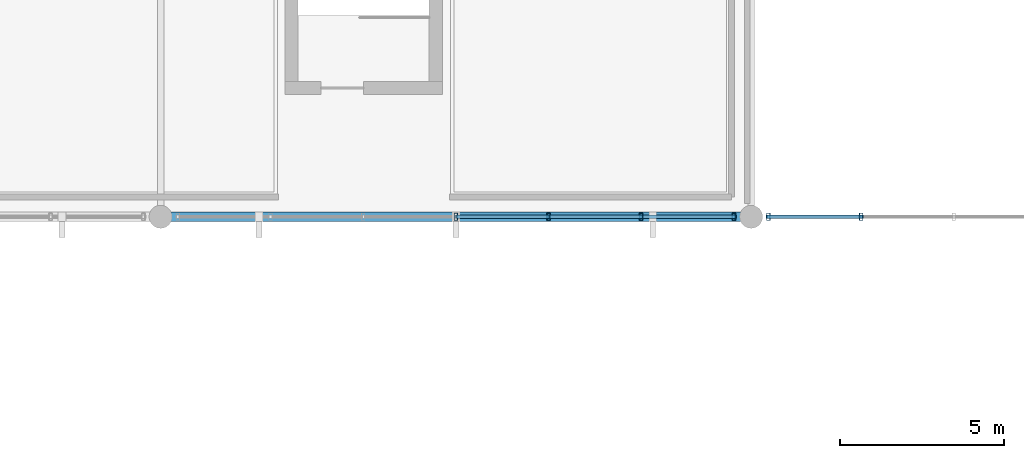
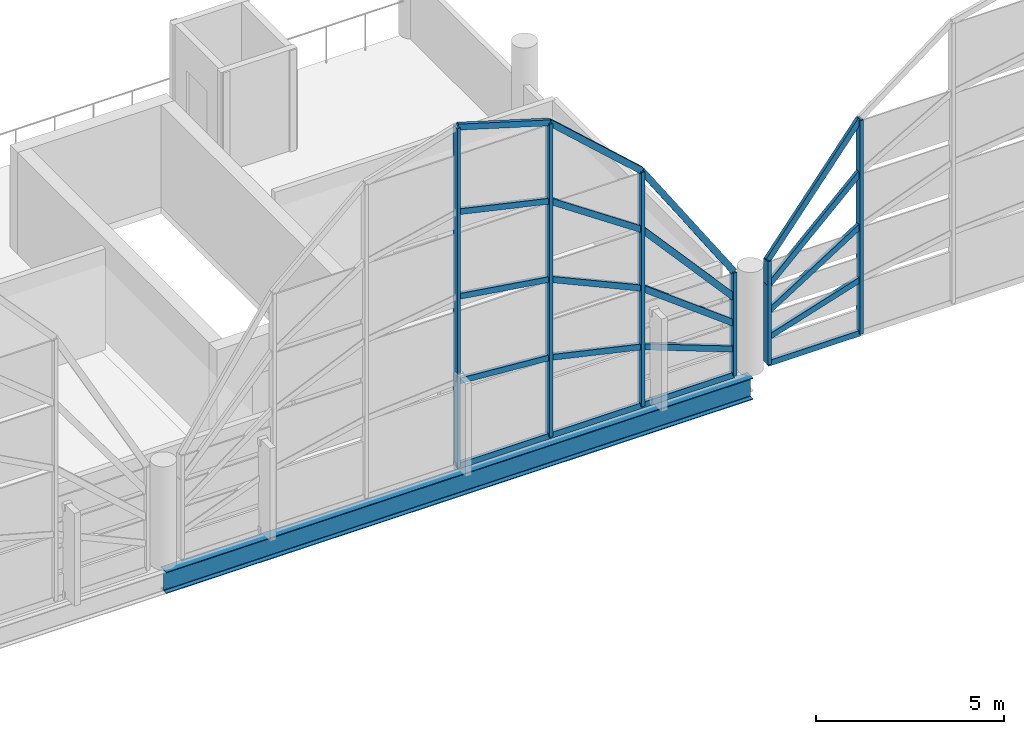
# One storey, part 32 of 116: 26 members, 1 beam, 2 elements without a shape of their own.
"""IFC4 building model written with IfcOpenShell, lengths in metres."""

from ifc_helpers import new_model, si_unit, direction, frame, origin, origin_2d, place, context, subcontext, project, spatial, hollow_rectangle, i_section, extrude, material, material_profile, profile_set, type_object, element, aggregate, save


model = new_model("IFC4")

# Units and contexts
model_context = context("Model", 3, precision=1e-05, world=origin(), true_north=direction((0.0, 1.0)))
body_context = subcontext(model_context, "Body", "Model", "MODEL_VIEW")
ifc_project = project(units=[si_unit("LENGTHUNIT", "METRE"), si_unit("AREAUNIT", "SQUARE_METRE"), si_unit("VOLUMEUNIT", "CUBIC_METRE"), si_unit("PLANEANGLEUNIT", "RADIAN"), si_unit("MASSUNIT", "GRAM", prefix="KILO")], contexts=[model_context])

# Site, building, storey
site_placement = place(None, origin())
site = spatial("IfcSite", under=ifc_project, at=site_placement, CompositionType="ELEMENT")
building_placement = place(site_placement, origin())
building = spatial("IfcBuilding", under=site, at=building_placement, Name="Chuanluo Vaults Station", CompositionType="ELEMENT")
storey_placement = place(building_placement, frame((0.0, 0.0, 10.800048828125)))
storey = spatial("IfcBuildingStorey", under=building, at=storey_placement, Name="L02", CompositionType="ELEMENT", Elevation=10.800048828125)

# Beam
ifc_material_1 = material(Name="Steel Q355C", Category="steel")
ifc_material_profile_1 = material_profile(ifc_material_1, i_section(OverallWidth=0.300048828125, OverallDepth=0.699951171875, WebThickness=0.012939453125, FlangeThickness=0.02392578125, FilletRadius=0.02197265625, at=origin_2d()))
ifc_profile_set_1 = profile_set([ifc_material_profile_1], Name="Steel Q355C")
beam_type = type_object("IfcBeamType", Name="BM-GRD-700", PredefinedType="USERDEFINED", material=ifc_profile_set_1)
beam_placement = place(storey_placement, frame((72.0, 18.0, -0.570068359375), z_axis=(1.0, 0.0, 0.0), x_axis=(0.0, 1.0, 0.0)))
element("IfcBeam", 1, at=beam_placement, inside=storey, type_object=beam_type, Name="Floor girder BM:GX:L02:0548", ObjectType="GIRDER", PredefinedType="USERDEFINED", context=body_context, shape_type="SweptSolid", body=[
    extrude(i_section(OverallWidth=0.300048828125, OverallDepth=0.699951171875, WebThickness=0.012939453125, FlangeThickness=0.02392578125, FilletRadius=0.02197265625, at=origin_2d()), origin(), (0.0, 0.0, 1.0), 18.0),
])

# Curtain wall, members
ifc_material_2 = material(Name="Anodised aluminium 6063-T6", Category="aluminium")
curtain_wall_type_1 = type_object("IfcCurtainWallType", Name="CW-SYS-16", PredefinedType="NOTDEFINED", material=ifc_material_2)
curtain_wall_1_placement = place(storey_placement, origin())
curtain_wall_1 = element("IfcCurtainWall", 2, at=curtain_wall_1_placement, inside=storey, type_object=curtain_wall_type_1, Name="Vault V5 south arched curtain wall", PredefinedType="NOTDEFINED")
ifc_material_3 = material(Name="Anodised aluminium 6063-T6", Category="aluminium")
ifc_material_profile_2 = material_profile(ifc_material_3, hollow_rectangle(XDim=0.10498046875, YDim=0.219970703125, WallThickness=0.006103515625, at=origin_2d()))
ifc_profile_set_2 = profile_set([ifc_material_profile_2], Name="Anodised aluminium 6063-T6")
member_type_1 = type_object("IfcMemberType", Name="CWM-140", PredefinedType="MULLION", material=ifc_profile_set_2)
member_1_placement = place(storey_placement, frame((89.47509765625, 18.0, 0.0), z_axis=(0.0, 0.0, 1.0), x_axis=(-1.0, 0.0, 0.0)))
member_1 = element("IfcMember", 3, at=member_1_placement, type_object=member_type_1, Name="Vault V5 south arched curtain wall mullion 1", PredefinedType="MULLION", context=body_context, shape_type="SweptSolid", body=[
    extrude(hollow_rectangle(XDim=0.10498046875, YDim=0.219970703125, WallThickness=0.006103515625, at=origin_2d()), origin(), (0.0, 0.0, 1.0), 3.349853515625),
])
member_2_placement = place(storey_placement, frame((86.64990234375, 18.0, 0.0), z_axis=(0.0, 0.0, 1.0), x_axis=(-1.0, 0.0, 0.0)))
member_2 = element("IfcMember", 4, at=member_2_placement, type_object=member_type_1, Name="Vault V5 south arched curtain wall mullion 2", PredefinedType="MULLION", context=body_context, shape_type="SweptSolid", body=[
    extrude(hollow_rectangle(XDim=0.10498046875, YDim=0.219970703125, WallThickness=0.006103515625, at=origin_2d()), origin(), (0.0, 0.0, 1.0), 7.599853515625),
])
member_3_placement = place(storey_placement, frame((83.824951171875, 18.0, 0.0), z_axis=(0.0, 0.0, 1.0), x_axis=(-1.0, 0.0, 0.0)))
member_3 = element("IfcMember", 5, at=member_3_placement, type_object=member_type_1, Name="Vault V5 south arched curtain wall mullion 3", PredefinedType="MULLION", context=body_context, shape_type="SweptSolid", body=[
    extrude(hollow_rectangle(XDim=0.10498046875, YDim=0.219970703125, WallThickness=0.006103515625, at=origin_2d()), origin(), (0.0, 0.0, 1.0), 10.14990234375),
])
member_4_placement = place(storey_placement, frame((81.0, 18.0, 0.0), z_axis=(0.0, 0.0, 1.0), x_axis=(-1.0, 0.0, 0.0)))
member_4 = element("IfcMember", 6, at=member_4_placement, type_object=member_type_1, Name="Vault V5 south arched curtain wall mullion 4", PredefinedType="MULLION", context=body_context, shape_type="SweptSolid", body=[
    extrude(hollow_rectangle(XDim=0.10498046875, YDim=0.219970703125, WallThickness=0.006103515625, at=origin_2d()), origin(), (0.0, 0.0, 1.0), 11.0),
])

ifc_material_4 = material(Name="Anodised aluminium 6063-T6", Category="aluminium")
curtain_wall_type_2 = type_object("IfcCurtainWallType", Name="CW-SYS-20", PredefinedType="NOTDEFINED", material=ifc_material_4)
curtain_wall_2_placement = place(storey_placement, origin())
curtain_wall_2 = element("IfcCurtainWall", 7, at=curtain_wall_2_placement, inside=storey, type_object=curtain_wall_type_2, Name="Vault V6 south arched curtain wall", PredefinedType="NOTDEFINED")
member_5_placement = place(storey_placement, frame((93.35009765625, 18.0, 0.0), z_axis=(0.0, 0.0, 1.0), x_axis=(-1.0, 0.0, 0.0)))
member_5 = element("IfcMember", 8, at=member_5_placement, type_object=member_type_1, Name="Vault V6 south arched curtain wall mullion 6", PredefinedType="MULLION", context=body_context, shape_type="SweptSolid", body=[
    extrude(hollow_rectangle(XDim=0.10498046875, YDim=0.219970703125, WallThickness=0.006103515625, at=origin_2d()), origin(), (0.0, 0.0, 1.0), 6.933349609375),
])
member_6_placement = place(storey_placement, frame((90.52490234375, 18.0, 0.0), z_axis=(0.0, 0.0, 1.0), x_axis=(-1.0, 0.0, 0.0)))
member_6 = element("IfcMember", 9, at=member_6_placement, type_object=member_type_1, Name="Vault V6 south arched curtain wall mullion 7", PredefinedType="MULLION", context=body_context, shape_type="SweptSolid", body=[
    extrude(hollow_rectangle(XDim=0.10498046875, YDim=0.219970703125, WallThickness=0.006103515625, at=origin_2d()), origin(), (0.0, 0.0, 1.0), 3.349853515625),
])

# Member
ifc_material_5 = material(Name="Anodised aluminium 6063-T6", Category="aluminium")
ifc_material_profile_3 = material_profile(ifc_material_5, hollow_rectangle(XDim=0.10498046875, YDim=0.18505859375, WallThickness=0.0048828125, at=origin_2d()))
ifc_profile_set_3 = profile_set([ifc_material_profile_3], Name="Anodised aluminium 6063-T6")
member_type_2 = type_object("IfcMemberType", Name="CWT-110", PredefinedType="USERDEFINED", material=ifc_profile_set_3)
member_7_placement = place(storey_placement, frame((89.47509765625, 18.0, 0.0), z_axis=(-1.0, 0.0, 0.0), x_axis=(0.0, -1.0, 0.0)))
member_7 = element("IfcMember", 10, at=member_7_placement, type_object=member_type_2, Name="Vault V5 south arched curtain wall transom 1.1", ObjectType="TRANSOM", PredefinedType="USERDEFINED", context=body_context, shape_type="SweptSolid", body=[
    extrude(hollow_rectangle(XDim=0.10498046875, YDim=0.18505859375, WallThickness=0.0048828125, at=origin_2d()), origin(), (0.0, 0.0, 1.0), 2.8251953125),
])

member_8_placement = place(storey_placement, frame((89.47509765625, 18.0, 0.83740234375), z_axis=(-0.935996355614, 0.0, 0.352009690601), x_axis=(0.0, -1.0, 0.0)))
member_8 = element("IfcMember", 11, at=member_8_placement, type_object=member_type_2, Name="Vault V5 south arched curtain wall transom 1.2", ObjectType="TRANSOM", PredefinedType="USERDEFINED", context=body_context, shape_type="SweptSolid", body=[
    extrude(hollow_rectangle(XDim=0.10498046875, YDim=0.18505859375, WallThickness=0.0048828125, at=origin_2d()), origin(), (0.0, 0.0, 1.0), 3.018310546875),
])

member_9_placement = place(storey_placement, frame((89.47509765625, 18.0, 1.675048828125), z_axis=(-0.799170508407, 0.0, 0.601104398996), x_axis=(0.0, -1.0, 0.0)))
member_9 = element("IfcMember", 12, at=member_9_placement, type_object=member_type_2, Name="Vault V5 south arched curtain wall transom 1.3", ObjectType="TRANSOM", PredefinedType="USERDEFINED", context=body_context, shape_type="SweptSolid", body=[
    extrude(hollow_rectangle(XDim=0.10498046875, YDim=0.18505859375, WallThickness=0.0048828125, at=origin_2d()), origin(), (0.0, 0.0, 1.0), 3.53515625),
])

member_10_placement = place(storey_placement, frame((89.47509765625, 18.0, 2.512451171875), z_axis=(-0.663295841514, 0.0, 0.748357285413), x_axis=(0.0, -1.0, 0.0)))
member_10 = element("IfcMember", 13, at=member_10_placement, type_object=member_type_2, Name="Vault V5 south arched curtain wall transom 1.4", ObjectType="TRANSOM", PredefinedType="USERDEFINED", context=body_context, shape_type="SweptSolid", body=[
    extrude(hollow_rectangle(XDim=0.10498046875, YDim=0.18505859375, WallThickness=0.0048828125, at=origin_2d()), origin(), (0.0, 0.0, 1.0), 4.25927734375),
])

member_11_placement = place(storey_placement, frame((89.47509765625, 18.0, 3.349853515625), z_axis=(-0.553595725421, 0.0, 0.832785550304), x_axis=(0.0, -1.0, 0.0)))
member_11 = element("IfcMember", 14, at=member_11_placement, type_object=member_type_2, Name="Vault V5 south arched curtain wall transom 1.5", ObjectType="TRANSOM", PredefinedType="USERDEFINED", context=body_context, shape_type="SweptSolid", body=[
    extrude(hollow_rectangle(XDim=0.10498046875, YDim=0.18505859375, WallThickness=0.0048828125, at=origin_2d()), origin(), (0.0, 0.0, 1.0), 5.103271484375),
])

member_12_placement = place(storey_placement, frame((86.64990234375, 18.0, 0.0), z_axis=(-1.0, 0.0, 0.0), x_axis=(0.0, -1.0, 0.0)))
member_12 = element("IfcMember", 15, at=member_12_placement, type_object=member_type_2, Name="Vault V5 south arched curtain wall transom 2.1", ObjectType="TRANSOM", PredefinedType="USERDEFINED", context=body_context, shape_type="SweptSolid", body=[
    extrude(hollow_rectangle(XDim=0.10498046875, YDim=0.18505859375, WallThickness=0.0048828125, at=origin_2d()), origin(), (0.0, 0.0, 1.0), 2.824951171875),
])

member_13_placement = place(storey_placement, frame((86.64990234375, 18.0, 1.89990234375), z_axis=(-0.975473711009, 0.0, 0.220115967457), x_axis=(0.0, -1.0, 0.0)))
member_13 = element("IfcMember", 16, at=member_13_placement, type_object=member_type_2, Name="Vault V5 south arched curtain wall transom 2.2", ObjectType="TRANSOM", PredefinedType="USERDEFINED", context=body_context, shape_type="SweptSolid", body=[
    extrude(hollow_rectangle(XDim=0.10498046875, YDim=0.18505859375, WallThickness=0.0048828125, at=origin_2d()), origin(), (0.0, 0.0, 1.0), 2.89599609375),
])

member_14_placement = place(storey_placement, frame((86.64990234375, 18.0, 3.800048828125), z_axis=(-0.911477323867, 0.0, 0.41135032281), x_axis=(0.0, -1.0, 0.0)))
member_14 = element("IfcMember", 17, at=member_14_placement, type_object=member_type_2, Name="Vault V5 south arched curtain wall transom 2.3", ObjectType="TRANSOM", PredefinedType="USERDEFINED", context=body_context, shape_type="SweptSolid", body=[
    extrude(hollow_rectangle(XDim=0.10498046875, YDim=0.18505859375, WallThickness=0.0048828125, at=origin_2d()), origin(), (0.0, 0.0, 1.0), 3.099365234375),
])

member_15_placement = place(storey_placement, frame((86.64990234375, 18.0, 5.699951171875), z_axis=(-0.828065516064, 0.0, 0.56063134153), x_axis=(0.0, -1.0, 0.0)))
member_15 = element("IfcMember", 18, at=member_15_placement, type_object=member_type_2, Name="Vault V5 south arched curtain wall transom 2.4", ObjectType="TRANSOM", PredefinedType="USERDEFINED", context=body_context, shape_type="SweptSolid", body=[
    extrude(hollow_rectangle(XDim=0.10498046875, YDim=0.18505859375, WallThickness=0.0048828125, at=origin_2d()), origin(), (0.0, 0.0, 1.0), 3.41162109375),
])

member_16_placement = place(storey_placement, frame((86.64990234375, 18.0, 7.599853515625), z_axis=(-0.742301278751, 0.0, 0.670066274009), x_axis=(0.0, -1.0, 0.0)))
member_16 = element("IfcMember", 19, at=member_16_placement, type_object=member_type_2, Name="Vault V5 south arched curtain wall transom 2.5", ObjectType="TRANSOM", PredefinedType="USERDEFINED", context=body_context, shape_type="SweptSolid", body=[
    extrude(hollow_rectangle(XDim=0.10498046875, YDim=0.18505859375, WallThickness=0.0048828125, at=origin_2d()), origin(), (0.0, 0.0, 1.0), 3.8056640625),
])

member_17_placement = place(storey_placement, frame((83.824951171875, 18.0, 0.0), z_axis=(-1.0, 0.0, 0.0), x_axis=(0.0, -1.0, 0.0)))
member_17 = element("IfcMember", 20, at=member_17_placement, type_object=member_type_2, Name="Vault V5 south arched curtain wall transom 3.1", ObjectType="TRANSOM", PredefinedType="USERDEFINED", context=body_context, shape_type="SweptSolid", body=[
    extrude(hollow_rectangle(XDim=0.10498046875, YDim=0.18505859375, WallThickness=0.0048828125, at=origin_2d()), origin(), (0.0, 0.0, 1.0), 2.824951171875),
])

member_18_placement = place(storey_placement, frame((83.824951171875, 18.0, 2.537353515625), z_axis=(-0.997178866147, 0.0, 0.075062033741), x_axis=(0.0, -1.0, 0.0)))
member_18 = element("IfcMember", 21, at=member_18_placement, type_object=member_type_2, Name="Vault V5 south arched curtain wall transom 3.2", ObjectType="TRANSOM", PredefinedType="USERDEFINED", context=body_context, shape_type="SweptSolid", body=[
    extrude(hollow_rectangle(XDim=0.10498046875, YDim=0.18505859375, WallThickness=0.0048828125, at=origin_2d()), origin(), (0.0, 0.0, 1.0), 2.8330078125),
])

member_19_placement = place(storey_placement, frame((83.824951171875, 18.0, 5.074951171875), z_axis=(-0.988869178476, 0.0, 0.148787593097), x_axis=(0.0, -1.0, 0.0)))
member_19 = element("IfcMember", 22, at=member_19_placement, type_object=member_type_2, Name="Vault V5 south arched curtain wall transom 3.3", ObjectType="TRANSOM", PredefinedType="USERDEFINED", context=body_context, shape_type="SweptSolid", body=[
    extrude(hollow_rectangle(XDim=0.10498046875, YDim=0.18505859375, WallThickness=0.0048828125, at=origin_2d()), origin(), (0.0, 0.0, 1.0), 2.856689453125),
])

member_20_placement = place(storey_placement, frame((83.824951171875, 18.0, 7.612548828125), z_axis=(-0.975473711009, 0.0, 0.220115967457), x_axis=(0.0, -1.0, 0.0)))
member_20 = element("IfcMember", 23, at=member_20_placement, type_object=member_type_2, Name="Vault V5 south arched curtain wall transom 3.4", ObjectType="TRANSOM", PredefinedType="USERDEFINED", context=body_context, shape_type="SweptSolid", body=[
    extrude(hollow_rectangle(XDim=0.10498046875, YDim=0.18505859375, WallThickness=0.0048828125, at=origin_2d()), origin(), (0.0, 0.0, 1.0), 2.89599609375),
])

member_21_placement = place(storey_placement, frame((83.824951171875, 18.0, 10.14990234375), z_axis=(-0.957582224888, 0.0, 0.288160168271), x_axis=(0.0, -1.0, 0.0)))
member_21 = element("IfcMember", 24, at=member_21_placement, type_object=member_type_2, Name="Vault V5 south arched curtain wall transom 3.5", ObjectType="TRANSOM", PredefinedType="USERDEFINED", context=body_context, shape_type="SweptSolid", body=[
    extrude(hollow_rectangle(XDim=0.10498046875, YDim=0.18505859375, WallThickness=0.0048828125, at=origin_2d()), origin(), (0.0, 0.0, 1.0), 2.9501953125),
])

aggregate(curtain_wall_1, [member_1, member_2, member_3, member_4, member_7, member_8, member_9, member_10, member_11, member_12, member_13, member_14, member_15, member_16, member_17, member_18, member_19, member_20, member_21])

member_22_placement = place(storey_placement, frame((93.35009765625, 18.0, 0.0), z_axis=(-1.0, 0.0, 0.0), x_axis=(0.0, -1.0, 0.0)))
member_22 = element("IfcMember", 25, at=member_22_placement, type_object=member_type_2, Name="Vault V6 south arched curtain wall transom 6.1", ObjectType="TRANSOM", PredefinedType="USERDEFINED", context=body_context, shape_type="SweptSolid", body=[
    extrude(hollow_rectangle(XDim=0.10498046875, YDim=0.18505859375, WallThickness=0.0048828125, at=origin_2d()), origin(), (0.0, 0.0, 1.0), 2.8251953125),
])

member_23_placement = place(storey_placement, frame((93.35009765625, 18.0, 1.733154296875), z_axis=(-0.953234689536, 0.0, -0.302231081568), x_axis=(0.0, -1.0, 0.0)))
member_23 = element("IfcMember", 26, at=member_23_placement, type_object=member_type_2, Name="Vault V6 south arched curtain wall transom 6.2", ObjectType="TRANSOM", PredefinedType="USERDEFINED", context=body_context, shape_type="SweptSolid", body=[
    extrude(hollow_rectangle(XDim=0.10498046875, YDim=0.18505859375, WallThickness=0.0048828125, at=origin_2d()), origin(), (0.0, 0.0, 1.0), 2.9638671875),
])

member_24_placement = place(storey_placement, frame((93.35009765625, 18.0, 3.466552734375), z_axis=(-0.844519848764, 0.0, -0.535524252526), x_axis=(0.0, -1.0, 0.0)))
member_24 = element("IfcMember", 27, at=member_24_placement, type_object=member_type_2, Name="Vault V6 south arched curtain wall transom 6.3", ObjectType="TRANSOM", PredefinedType="USERDEFINED", context=body_context, shape_type="SweptSolid", body=[
    extrude(hollow_rectangle(XDim=0.10498046875, YDim=0.18505859375, WallThickness=0.0048828125, at=origin_2d()), origin(), (0.0, 0.0, 1.0), 3.34521484375),
])

member_25_placement = place(storey_placement, frame((93.35009765625, 18.0, 5.199951171875), z_axis=(-0.724542809438, 0.0, -0.68922980006), x_axis=(0.0, -1.0, 0.0)))
member_25 = element("IfcMember", 28, at=member_25_placement, type_object=member_type_2, Name="Vault V6 south arched curtain wall transom 6.4", ObjectType="TRANSOM", PredefinedType="USERDEFINED", context=body_context, shape_type="SweptSolid", body=[
    extrude(hollow_rectangle(XDim=0.10498046875, YDim=0.18505859375, WallThickness=0.0048828125, at=origin_2d()), origin(), (0.0, 0.0, 1.0), 3.899169921875),
])

member_26_placement = place(storey_placement, frame((93.35009765625, 18.0, 6.933349609375), z_axis=(-0.619120273316, 0.0, -0.785296177992), x_axis=(0.0, -1.0, 0.0)))
member_26 = element("IfcMember", 29, at=member_26_placement, type_object=member_type_2, Name="Vault V6 south arched curtain wall transom 6.5", ObjectType="TRANSOM", PredefinedType="USERDEFINED", context=body_context, shape_type="SweptSolid", body=[
    extrude(hollow_rectangle(XDim=0.10498046875, YDim=0.18505859375, WallThickness=0.0048828125, at=origin_2d()), origin(), (0.0, 0.0, 1.0), 4.563232421875),
])

aggregate(curtain_wall_2, [member_5, member_6, member_22, member_23, member_24, member_25, member_26])

save(model, "model.ifc")
